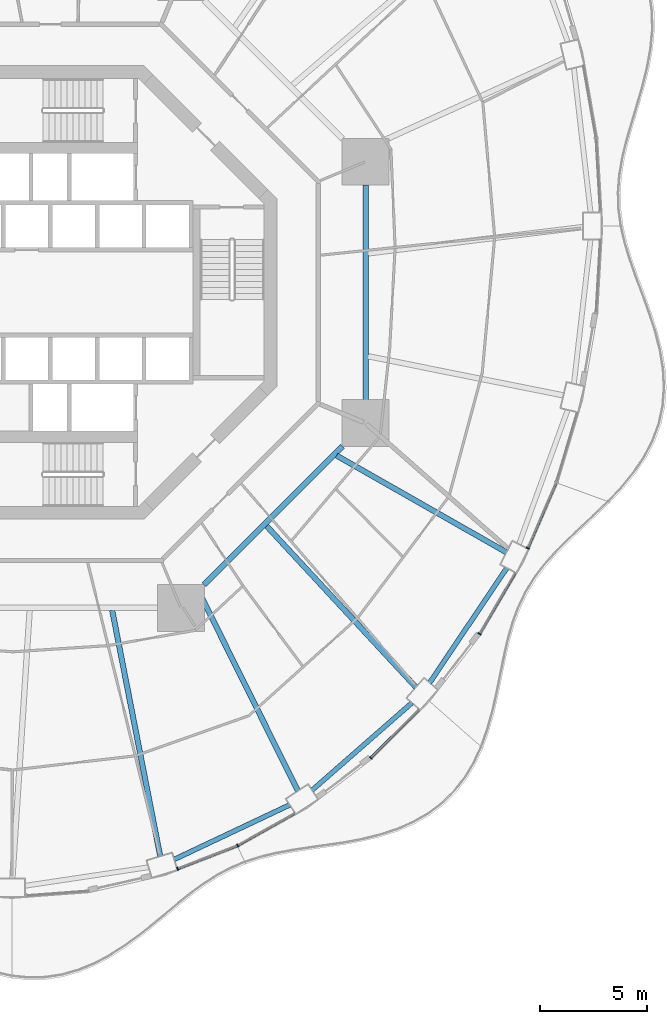
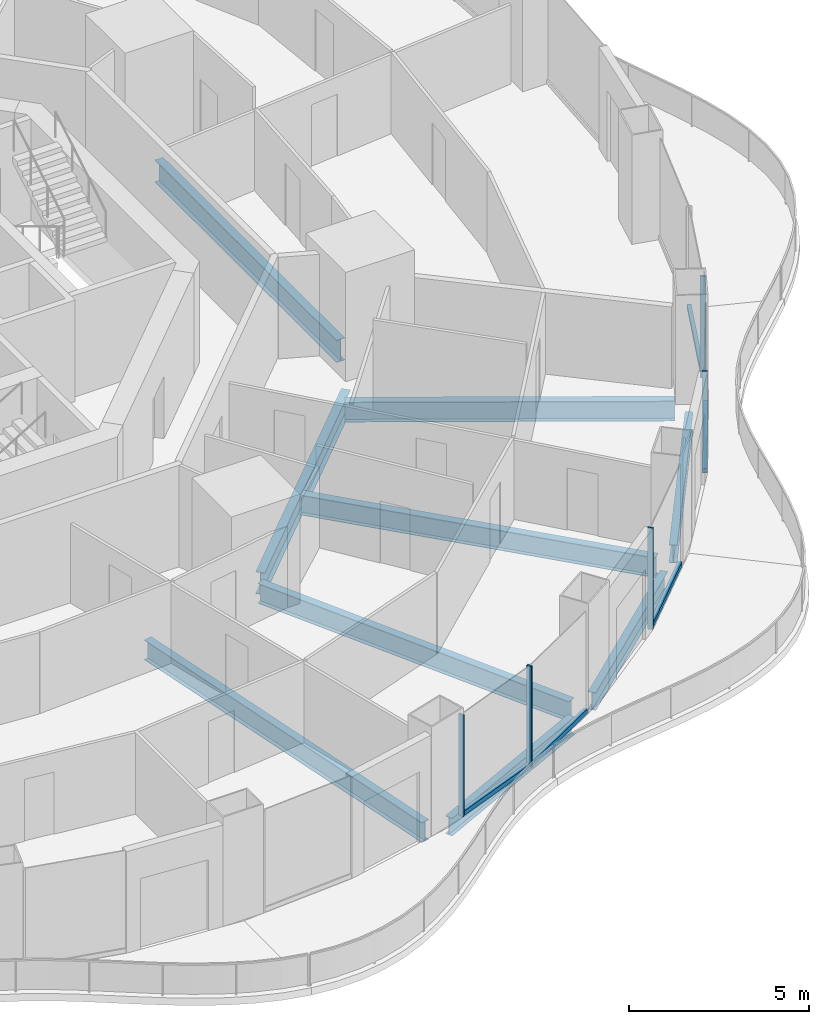
# One storey, part 5 of 24: 10 members, 9 beams, 5 elements without a shape of their own.
"""IFC4 building model written with IfcOpenShell, lengths in metres."""

from ifc_helpers import new_model, si_unit, direction, frame, origin, origin_2d, place, context, subcontext, project, spatial, rectangle, i_section, extrude, material, layer, layer_set, material_profile, profile_set, type_object, element, aggregate, save


model = new_model("IFC4")

# Units and contexts
model_context = context("Model", 3, precision=1e-05, world=origin(), true_north=direction((0.0, 1.0)))
body_context = subcontext(model_context, "Body", "Model", "MODEL_VIEW")
ifc_project = project(units=[si_unit("LENGTHUNIT", "METRE"), si_unit("AREAUNIT", "SQUARE_METRE"), si_unit("VOLUMEUNIT", "CUBIC_METRE"), si_unit("PLANEANGLEUNIT", "RADIAN"), si_unit("MASSUNIT", "GRAM", prefix="KILO")], contexts=[model_context])

# Site, building, storey
site_placement = place(None, origin())
site = spatial("IfcSite", under=ifc_project, at=site_placement, CompositionType="ELEMENT")
building_placement = place(site_placement, origin())
building = spatial("IfcBuilding", under=site, at=building_placement, Name="Nagisa Residences", CompositionType="ELEMENT")
storey_placement = place(building_placement, frame((0.0, 0.0, 102.89990234375)))
storey = spatial("IfcBuildingStorey", under=building, at=storey_placement, Name="L25", CompositionType="ELEMENT", Elevation=102.89990234375)

# Curtain wall, member
ifc_material_1 = material(Name="Concrete-coloured aluminium curtain wall system", Category="concrete")
ifc_layer = layer(ifc_material_1, 0.159912109375)
ifc_layer_set = layer_set([ifc_layer], Name="CW1 CURTAIN WALL")
curtain_wall_type = type_object("IfcCurtainWallType", Name="CW1 CURTAIN WALL", PredefinedType="NOTDEFINED", material=ifc_layer_set)
curtain_wall_1_placement = place(storey_placement, origin())
curtain_wall_1 = element("IfcCurtainWall", 1, at=curtain_wall_1_placement, inside=storey, type_object=curtain_wall_type, Name="cw:CW1:L25:38", PredefinedType="NOTDEFINED")
ifc_material_2 = material(Name="Concrete-coloured aluminium", Category="concrete")
ifc_material_profile_1 = material_profile(ifc_material_2, rectangle(XDim=0.159912109375, YDim=0.06005859375, at=origin_2d()), Name="CW1 MULLION 160x60")
ifc_profile_set_1 = profile_set([ifc_material_profile_1], Name="Concrete-coloured aluminium")
member_type_1 = type_object("IfcMemberType", Name="CW1 MULLION 160x60", PredefinedType="MULLION", material=ifc_profile_set_1)
member_1_placement = place(storey_placement, frame((5.973388671875, -27.00390625, 0.0), z_axis=(0.0, 0.0, 1.0), x_axis=(-0.360327770268, 0.932825759707, 0.0)))
member_1 = element("IfcMember", 2, at=member_1_placement, type_object=member_type_1, Name="CW1 mullion", PredefinedType="MULLION", context=body_context, shape_type="SweptSolid", body=[
    extrude(rectangle(XDim=0.159912109375, YDim=0.06005859375, at=origin_2d()), origin(), (0.0, 0.0, 1.0), 3.440185546875),
])

curtain_wall_2_placement = place(storey_placement, origin())
curtain_wall_2 = element("IfcCurtainWall", 3, at=curtain_wall_2_placement, inside=storey, type_object=curtain_wall_type, Name="cw:CW1:L25:39", PredefinedType="NOTDEFINED")
member_2_placement = place(storey_placement, frame((8.785400390625, -25.913818359375, 0.0), z_axis=(0.0, 0.0, 1.0), x_axis=(-0.489376918501, 0.872072377523, 0.0)))
member_2 = element("IfcMember", 4, at=member_2_placement, type_object=member_type_1, Name="CW1 mullion", PredefinedType="MULLION", context=body_context, shape_type="SweptSolid", body=[
    extrude(rectangle(XDim=0.159912109375, YDim=0.06005859375, at=origin_2d()), origin(), (0.0, 0.0, 1.0), 3.440185546875),
])

curtain_wall_3_placement = place(storey_placement, origin())
curtain_wall_3 = element("IfcCurtainWall", 5, at=curtain_wall_3_placement, inside=storey, type_object=curtain_wall_type, Name="cw:CW1:L25:41", PredefinedType="NOTDEFINED")
member_3_placement = place(storey_placement, frame((15.0244140625, -21.80712890625, 0.0), z_axis=(0.0, 0.0, 1.0), x_axis=(-0.706376885714, 0.707835924016, 0.0)))
member_3 = element("IfcMember", 6, at=member_3_placement, type_object=member_type_1, Name="CW1 mullion", PredefinedType="MULLION", context=body_context, shape_type="SweptSolid", body=[
    extrude(rectangle(XDim=0.159912109375, YDim=0.06005859375, at=origin_2d()), origin(), (0.0, 0.0, 1.0), 3.440185546875),
])

curtain_wall_4_placement = place(storey_placement, origin())
curtain_wall_4 = element("IfcCurtainWall", 7, at=curtain_wall_4_placement, inside=storey, type_object=curtain_wall_type, Name="cw:CW1:L25:43", PredefinedType="NOTDEFINED")
member_4_placement = place(storey_placement, frame((20.1181640625, -16.0009765625, 0.0), z_axis=(0.0, 0.0, 1.0), x_axis=(-0.862328898214, 0.506348567002, 0.0)))
member_4 = element("IfcMember", 8, at=member_4_placement, type_object=member_type_1, Name="CW1 mullion", PredefinedType="MULLION", context=body_context, shape_type="SweptSolid", body=[
    extrude(rectangle(XDim=0.159912109375, YDim=0.06005859375, at=origin_2d()), origin(), (0.0, 0.0, 1.0), 3.440185546875),
])

curtain_wall_5_placement = place(storey_placement, origin())
curtain_wall_5 = element("IfcCurtainWall", 9, at=curtain_wall_5_placement, inside=storey, type_object=curtain_wall_type, Name="cw:CW1:L25:44", PredefinedType="NOTDEFINED")
member_5_placement = place(storey_placement, frame((22.381591796875, -11.984130859375, 0.0), z_axis=(0.0, 0.0, 1.0), x_axis=(-0.917543276295, 0.397635934147, 0.0)))
member_5 = element("IfcMember", 10, at=member_5_placement, type_object=member_type_1, Name="CW1 mullion", PredefinedType="MULLION", context=body_context, shape_type="SweptSolid", body=[
    extrude(rectangle(XDim=0.159912109375, YDim=0.06005859375, at=origin_2d()), origin(), (0.0, 0.0, 1.0), 3.440185546875),
])

# Member
ifc_material_3 = material(Name="Concrete-coloured aluminium", Category="concrete")
ifc_material_profile_2 = material_profile(ifc_material_3, rectangle(XDim=0.1201171875, YDim=0.14990234375, at=origin_2d()), Name="CW1 TRANSOM 120x150")
ifc_profile_set_2 = profile_set([ifc_material_profile_2], Name="Concrete-coloured aluminium")
member_type_2 = type_object("IfcMemberType", Name="CW1 TRANSOM 120x150", PredefinedType="USERDEFINED", material=ifc_profile_set_2)
member_6_placement = place(storey_placement, frame((5.945556640625, -27.0146484375, 0.0751953125), z_axis=(0.932827091302, 0.360324322982, 0.0), x_axis=(-0.360324322982, 0.932827091302, 0.0)))
member_6 = element("IfcMember", 11, at=member_6_placement, type_object=member_type_2, Name="CW1 transom", ObjectType="TRANSOM", PredefinedType="USERDEFINED", context=body_context, shape_type="SweptSolid", body=[
    extrude(rectangle(XDim=0.1201171875, YDim=0.14990234375, at=origin_2d()), origin(), (0.0, 0.0, 1.0), 3.02734375),
])

aggregate(curtain_wall_1, [member_1, member_6])

member_7_placement = place(storey_placement, frame((8.75927734375, -25.9287109375, 0.0751953125), z_axis=(0.872037280335, 0.489439456631, 0.0), x_axis=(-0.489439456631, 0.872037280335, 0.0)))
member_7 = element("IfcMember", 12, at=member_7_placement, type_object=member_type_2, Name="CW1 transom", ObjectType="TRANSOM", PredefinedType="USERDEFINED", context=body_context, shape_type="SweptSolid", body=[
    extrude(rectangle(XDim=0.1201171875, YDim=0.14990234375, at=origin_2d()), origin(), (0.0, 0.0, 1.0), 3.07568359375),
])

aggregate(curtain_wall_2, [member_2, member_7])

member_8_placement = place(storey_placement, frame((15.003173828125, -21.828125, 0.0751953125), z_axis=(0.707831724839, 0.70638109354, 0.0), x_axis=(-0.70638109354, 0.707831724839, 0.0)))
member_8 = element("IfcMember", 13, at=member_8_placement, type_object=member_type_2, Name="CW1 transom", ObjectType="TRANSOM", PredefinedType="USERDEFINED", context=body_context, shape_type="SweptSolid", body=[
    extrude(rectangle(XDim=0.1201171875, YDim=0.14990234375, at=origin_2d()), origin(), (0.0, 0.0, 1.0), 3.19775390625),
])

aggregate(curtain_wall_3, [member_3, member_8])

member_9_placement = place(storey_placement, frame((20.10302734375, -16.02685546875, 0.0751953125), z_axis=(0.506329983076, 0.86233981019, 0.0), x_axis=(-0.86233981019, 0.506329983076, 0.0)))
member_9 = element("IfcMember", 14, at=member_9_placement, type_object=member_type_2, Name="CW1 transom", ObjectType="TRANSOM", PredefinedType="USERDEFINED", context=body_context, shape_type="SweptSolid", body=[
    extrude(rectangle(XDim=0.1201171875, YDim=0.14990234375, at=origin_2d()), origin(), (0.0, 0.0, 1.0), 3.32470703125),
])

aggregate(curtain_wall_4, [member_4, member_9])

member_10_placement = place(storey_placement, frame((22.36962890625, -12.011474609375, 0.0751953125), z_axis=(0.397621629246, 0.917549475481, 0.0), x_axis=(-0.917549475481, 0.397621629246, 0.0)))
member_10 = element("IfcMember", 15, at=member_10_placement, type_object=member_type_2, Name="CW1 transom", ObjectType="TRANSOM", PredefinedType="USERDEFINED", context=body_context, shape_type="SweptSolid", body=[
    extrude(rectangle(XDim=0.1201171875, YDim=0.14990234375, at=origin_2d()), origin(), (0.0, 0.0, 1.0), 3.37939453125),
])

aggregate(curtain_wall_5, [member_5, member_10])

# Beams
ifc_material_4 = material(Name="Steel ASTM A572 Gr 50", Category="steel")
ifc_material_profile_3 = material_profile(ifc_material_4, i_section(OverallWidth=0.264892578125, OverallDepth=0.7529296875, WebThickness=0.01318359375, FlangeThickness=0.01708984375, at=origin_2d()), Name="W760x147")
ifc_profile_set_3 = profile_set([ifc_material_profile_3], Name="Steel ASTM A572 Gr 50")
beam_type_1 = type_object("IfcBeamType", Name="Inner ring beam W760x147", PredefinedType="BEAM", material=ifc_profile_set_3)
beam_1_placement = place(storey_placement, frame((7.208740234375, -13.6962890625, -0.636474609375), z_axis=(0.707106781187, 0.707106781187, 0.0), x_axis=(-0.707106781187, 0.707106781187, 0.0)))
element("IfcBeam", 16, at=beam_1_placement, inside=storey, type_object=beam_type_1, Name="beam:L25:ib7", PredefinedType="BEAM", context=body_context, shape_type="SweptSolid", body=[
    extrude(i_section(OverallWidth=0.264892578125, OverallDepth=0.7529296875, WebThickness=0.01318359375, FlangeThickness=0.01708984375, at=origin_2d()), origin(), (0.0, 0.0, 1.0), 9.1748046875),
])
beam_2_placement = place(storey_placement, frame((14.781982421875, -5.04296875, -0.636474609375), z_axis=(0.0, 1.0, 0.0), x_axis=(-1.0, 0.0, 0.0)))
element("IfcBeam", 17, at=beam_2_placement, inside=storey, type_object=beam_type_1, Name="beam:L25:ib8", PredefinedType="BEAM", context=body_context, shape_type="SweptSolid", body=[
    extrude(i_section(OverallWidth=0.264892578125, OverallDepth=0.7529296875, WebThickness=0.01318359375, FlangeThickness=0.01708984375, at=origin_2d()), origin(), (0.0, 0.0, 1.0), 10.0859375),
])
ifc_material_5 = material(Name="Steel ASTM A572 Gr 50", Category="steel")
ifc_material_profile_4 = material_profile(ifc_material_5, i_section(OverallWidth=0.22802734375, OverallDepth=0.60302734375, WebThickness=0.010498046875, FlangeThickness=0.014892578125, at=origin_2d()), Name="W610x101")
ifc_profile_set_4 = profile_set([ifc_material_profile_4], Name="Steel ASTM A572 Gr 50")
beam_type_2 = type_object("IfcBeamType", Name="Perimeter ring beam W610x101", PredefinedType="BEAM", material=ifc_profile_set_4)
beam_3_placement = place(storey_placement, frame((5.814453125, -26.568359375, -0.5615234375), z_axis=(0.904196975776, 0.427115709144, 0.0), x_axis=(-0.427115709144, 0.904196975776, 0.0)))
element("IfcBeam", 18, at=beam_3_placement, inside=storey, type_object=beam_type_2, Name="beam:L25:pb20", PredefinedType="BEAM", context=body_context, shape_type="SweptSolid", body=[
    extrude(i_section(OverallWidth=0.22802734375, OverallDepth=0.60302734375, WebThickness=0.010498046875, FlangeThickness=0.014892578125, at=origin_2d()), origin(), (0.0, 0.0, 1.0), 5.980712890625),
])
beam_4_placement = place(storey_placement, frame((12.2763671875, -23.322998046875, -0.5615234375), z_axis=(0.752525569707, 0.658563031863, 0.0), x_axis=(-0.658563031863, 0.752525569707, 0.0)))
element("IfcBeam", 19, at=beam_4_placement, inside=storey, type_object=beam_type_2, Name="beam:L25:pb21", PredefinedType="BEAM", context=body_context, shape_type="SweptSolid", body=[
    extrude(i_section(OverallWidth=0.22802734375, OverallDepth=0.60302734375, WebThickness=0.010498046875, FlangeThickness=0.014892578125, at=origin_2d()), origin(), (0.0, 0.0, 1.0), 6.21240234375),
])
beam_5_placement = place(storey_placement, frame((17.784423828125, -18.2861328125, -0.5615234375), z_axis=(0.558229575935, 0.829686531499, 0.0), x_axis=(-0.829686531499, 0.558229575935, 0.0)))
element("IfcBeam", 20, at=beam_5_placement, inside=storey, type_object=beam_type_2, Name="beam:L25:pb22", PredefinedType="BEAM", context=body_context, shape_type="SweptSolid", body=[
    extrude(i_section(OverallWidth=0.22802734375, OverallDepth=0.60302734375, WebThickness=0.010498046875, FlangeThickness=0.014892578125, at=origin_2d()), origin(), (0.0, 0.0, 1.0), 6.471923828125),
])
ifc_material_6 = material(Name="Steel ASTM A572 Gr 50", Category="steel")
ifc_material_profile_5 = material_profile(ifc_material_6, i_section(OverallWidth=0.2529296875, OverallDepth=0.677978515625, WebThickness=0.01171875, FlangeThickness=0.016357421875, at=origin_2d()), Name="W690x125")
ifc_profile_set_5 = profile_set([ifc_material_profile_5], Name="Steel ASTM A572 Gr 50")
beam_type_3 = type_object("IfcBeamType", Name="Radial beam W690x125", PredefinedType="BEAM", material=ifc_profile_set_5)
beam_6_placement = place(storey_placement, frame((5.15576171875, -26.416015625, -0.598876953125), z_axis=(-0.191554340045, 0.981482009417, 0.0), x_axis=(-0.981482009417, -0.191554340045, 0.0)))
element("IfcBeam", 21, at=beam_6_placement, inside=storey, type_object=beam_type_3, Name="beam:L25:rb20", PredefinedType="BEAM", context=body_context, shape_type="SweptSolid", body=[
    extrude(i_section(OverallWidth=0.2529296875, OverallDepth=0.677978515625, WebThickness=0.01171875, FlangeThickness=0.016357421875, at=origin_2d()), origin(), (0.0, 0.0, 1.0), 11.73828125),
])
beam_7_placement = place(storey_placement, frame((11.604736328125, -23.35400390625, -0.598876953125), z_axis=(-0.444988448889, 0.895536308787, 0.0), x_axis=(-0.895536308787, -0.444988448889, 0.0)))
element("IfcBeam", 22, at=beam_7_placement, inside=storey, type_object=beam_type_3, Name="beam:L25:rb21", PredefinedType="BEAM", context=body_context, shape_type="SweptSolid", body=[
    extrude(i_section(OverallWidth=0.2529296875, OverallDepth=0.677978515625, WebThickness=0.01171875, FlangeThickness=0.016357421875, at=origin_2d()), origin(), (0.0, 0.0, 1.0), 10.364013671875),
])
beam_8_placement = place(storey_placement, frame((17.135986328125, -18.49609375, -0.598876953125), z_axis=(-0.67961674612, 0.733567364591, 0.0), x_axis=(-0.733567364591, -0.67961674612, 0.0)))
element("IfcBeam", 23, at=beam_8_placement, inside=storey, type_object=beam_type_3, Name="beam:L25:rb22", PredefinedType="BEAM", context=body_context, shape_type="SweptSolid", body=[
    extrude(i_section(OverallWidth=0.2529296875, OverallDepth=0.677978515625, WebThickness=0.01171875, FlangeThickness=0.016357421875, at=origin_2d()), origin(), (0.0, 0.0, 1.0), 10.30859375),
])
beam_9_placement = place(storey_placement, frame((21.37744140625, -12.1767578125, -0.598876953125), z_axis=(-0.868924854865, 0.494944033804, 0.0), x_axis=(-0.494944033804, -0.868924854865, 0.0)))
element("IfcBeam", 24, at=beam_9_placement, inside=storey, type_object=beam_type_3, Name="beam:L25:rb23", PredefinedType="BEAM", context=body_context, shape_type="SweptSolid", body=[
    extrude(i_section(OverallWidth=0.2529296875, OverallDepth=0.677978515625, WebThickness=0.01171875, FlangeThickness=0.016357421875, at=origin_2d()), origin(), (0.0, 0.0, 1.0), 9.156982421875),
])

save(model, "model.ifc")
